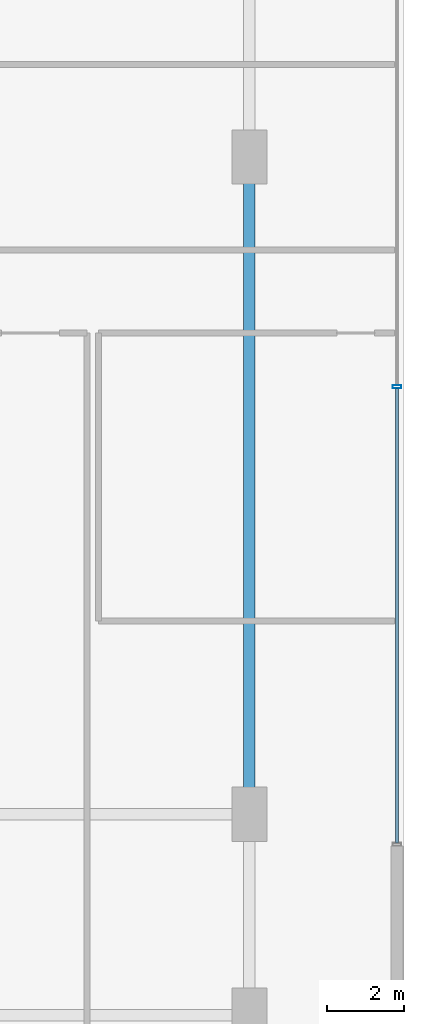
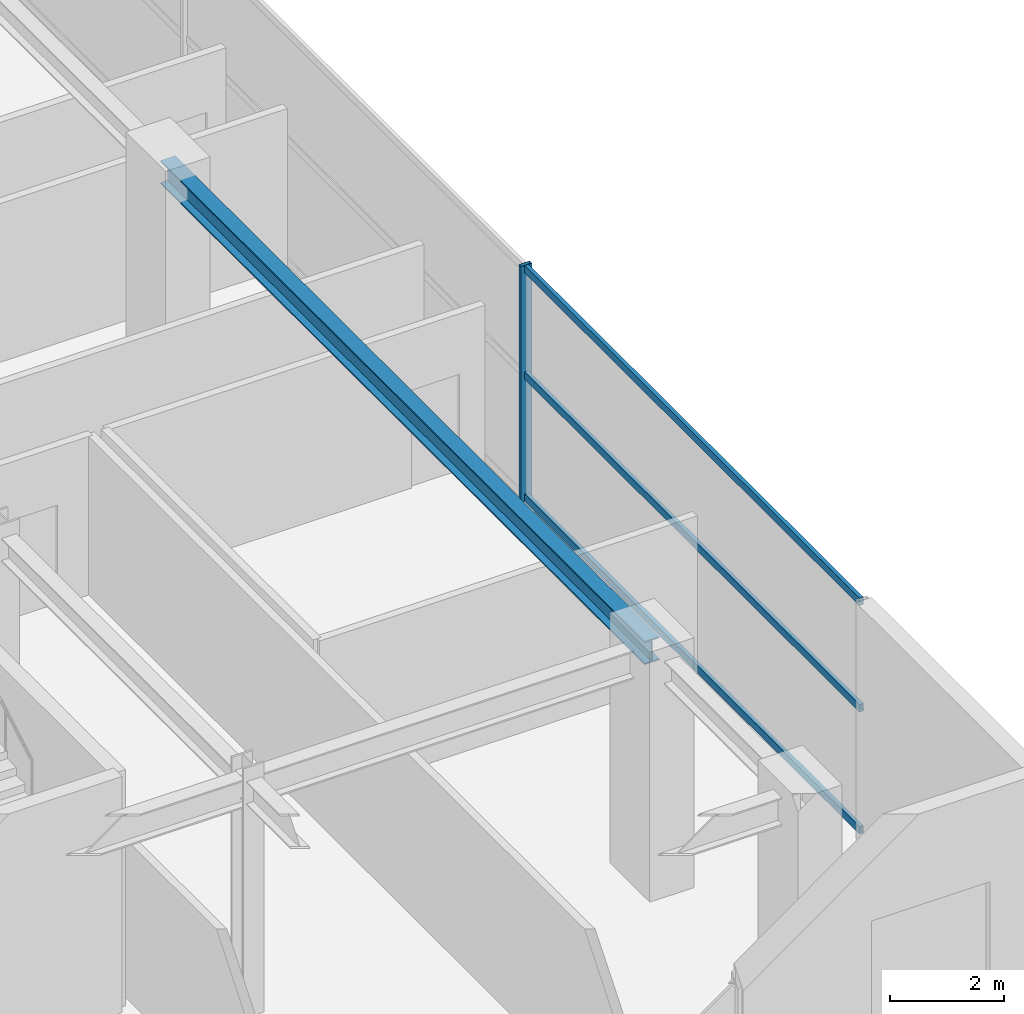
# One storey, part 22 of 32: 4 members, 1 beam, 1 element without a shape of its own.
"""IFC4 building model written with IfcOpenShell, lengths in metres."""

from ifc_helpers import new_model, si_unit, direction, frame, origin, origin_2d, place, context, subcontext, project, spatial, hollow_rectangle, i_section, extrude, source, transform, mapped, material, material_profile, profile_set, type_object, element, aggregate, save


model = new_model("IFC4")

# Units and contexts
model_context = context("Model", 3, precision=1e-05, world=origin(), true_north=direction((0.0, 1.0)))
body_context = subcontext(model_context, "Body", "Model", "MODEL_VIEW")
ifc_project = project(units=[si_unit("LENGTHUNIT", "METRE"), si_unit("AREAUNIT", "SQUARE_METRE"), si_unit("VOLUMEUNIT", "CUBIC_METRE"), si_unit("PLANEANGLEUNIT", "RADIAN"), si_unit("MASSUNIT", "GRAM", prefix="KILO")], contexts=[model_context])

# Site, building, storey
site_placement = place(None, origin())
site = spatial("IfcSite", under=ifc_project, at=site_placement, CompositionType="ELEMENT")
building_placement = place(site_placement, origin())
building = spatial("IfcBuilding", under=site, at=building_placement, Name="Nahalor Promenade Grand Hotel", CompositionType="ELEMENT")
storey_placement = place(building_placement, frame((0.0, 0.0, 10.800048828125)))
storey = spatial("IfcBuildingStorey", under=building, at=storey_placement, Name="L02", CompositionType="ELEMENT", Elevation=10.800048828125)

# Beam
ifc_material_1 = material(Name="Steel S355JR", Category="steel")
ifc_material_profile_1 = material_profile(ifc_material_1, i_section(OverallWidth=0.3, OverallDepth=0.5, WebThickness=0.0145, FlangeThickness=0.028, at=origin_2d()), Name="HEB 500")
ifc_profile_set_1 = profile_set([ifc_material_profile_1], Name="Steel S355JR")
beam_type = type_object("IfcBeamType", Name="Beam-Spandrel-HEB500", PredefinedType="SPANDREL", material=ifc_profile_set_1)
shared_shape_1 = source(origin(), body_context, "Body", "SweptSolid", [
    extrude(i_section(OverallWidth=0.3, OverallDepth=0.5, WebThickness=0.0145, FlangeThickness=0.028, at=origin_2d()), origin(), (0.0, 0.0, 1.0), 17.0),
])
beam_placement = place(storey_placement, frame((33.0, -17.0, 4.81005859375), z_axis=(0.0, 1.0, 0.0), x_axis=(-1.0, 0.0, 0.0)))
element("IfcBeam", 1, at=beam_placement, inside=storey, type_object=beam_type, Name="BM-L02-PE-1", PredefinedType="SPANDREL", context=body_context, shape_type="MappedRepresentation", body=[
    mapped(shared_shape_1, transform((0.0, 0.0, 0.0), scale=1.0)),
])

# Curtain wall, members
ifc_material_2 = material(Name="Anodised Bronze Aluminium EN AW-6063 T6", Category="aluminium")
curtain_wall_type = type_object("IfcCurtainWallType", Name="CW1 Waterfront Podium Bronze Arcade Curtain Wall", PredefinedType="USERDEFINED", material=ifc_material_2)
curtain_wall_placement = place(storey_placement, origin())
curtain_wall = element("IfcCurtainWall", 2, at=curtain_wall_placement, inside=storey, type_object=curtain_wall_type, Name="L02 Curtain Wall CW-L02-E", ObjectType="UNITISED_CURTAIN_WALL", PredefinedType="USERDEFINED")
ifc_material_profile_2 = material_profile(ifc_material_2, hollow_rectangle(XDim=0.08, YDim=0.16, WallThickness=0.004, at=origin_2d()), Name="CWT 80x160x4")
ifc_profile_set_2 = profile_set([ifc_material_profile_2], Name="Anodised Bronze Aluminium EN AW-6063 T6")
member_type_1 = type_object("IfcMemberType", Name="CWT1 Podium Bronze Transom 80x160", PredefinedType="USERDEFINED", material=ifc_profile_set_2)
shared_shape_2 = source(origin(), body_context, "Body", "SweptSolid", [
    extrude(hollow_rectangle(XDim=0.08, YDim=0.16, WallThickness=0.004, at=origin_2d()), origin(), (0.0, 0.0, 1.0), 11.760009765625),
])
member_1_placement = place(storey_placement, frame((36.820068359375, -17.739990234375, 0.079833984375), z_axis=(0.0, 1.0, 0.0), x_axis=(-1.0, 0.0, 0.0)))
member_1 = element("IfcMember", 3, at=member_1_placement, type_object=member_type_1, Name="CW-L02-E Transom 0-0", ObjectType="TRANSOM", PredefinedType="USERDEFINED", context=body_context, shape_type="MappedRepresentation", body=[
    mapped(shared_shape_2, transform((0.0, 0.0, 0.0), scale=1.0)),
])
member_2_placement = place(storey_placement, frame((36.820068359375, -17.739990234375, 2.699951171875), z_axis=(0.0, 1.0, 0.0), x_axis=(-1.0, 0.0, 0.0)))
member_2 = element("IfcMember", 4, at=member_2_placement, type_object=member_type_1, Name="CW-L02-E Transom 0-1", ObjectType="TRANSOM", PredefinedType="USERDEFINED", context=body_context, shape_type="MappedRepresentation", body=[
    mapped(shared_shape_2, transform((0.0, 0.0, 0.0), scale=1.0)),
])
member_3_placement = place(storey_placement, frame((36.820068359375, -17.739990234375, 4.97998046875), z_axis=(0.0, 1.0, 0.0), x_axis=(-1.0, 0.0, 0.0)))
member_3 = element("IfcMember", 5, at=member_3_placement, type_object=member_type_1, Name="CW-L02-E Transom 0-2", ObjectType="TRANSOM", PredefinedType="USERDEFINED", context=body_context, shape_type="MappedRepresentation", body=[
    mapped(shared_shape_2, transform((0.0, 0.0, 0.0), scale=1.0)),
])
ifc_material_profile_3 = material_profile(ifc_material_2, hollow_rectangle(XDim=0.08, YDim=0.22, WallThickness=0.005, at=origin_2d()), Name="CWM 80x220x5")
ifc_profile_set_3 = profile_set([ifc_material_profile_3], Name="Anodised Bronze Aluminium EN AW-6063 T6")
member_type_2 = type_object("IfcMemberType", Name="CWM1 Podium Bronze Mullion 80x220", PredefinedType="MULLION", material=ifc_profile_set_3)
shared_shape_3 = source(origin(), body_context, "Body", "SweptSolid", [
    extrude(hollow_rectangle(XDim=0.08, YDim=0.22, WallThickness=0.005, at=origin_2d()), origin(), (0.0, 0.0, 1.0), 5.06005859375),
])
member_4_placement = place(storey_placement, frame((36.820068359375, -5.93994140625, 0.0), z_axis=(0.0, 0.0, 1.0), x_axis=(0.0, 1.0, 0.0)))
member_4 = element("IfcMember", 6, at=member_4_placement, type_object=member_type_2, Name="CW-L02-E Mullion 1", PredefinedType="MULLION", context=body_context, shape_type="MappedRepresentation", body=[
    mapped(shared_shape_3, transform((0.0, 0.0, 0.0), scale=1.0)),
])
aggregate(curtain_wall, [member_4, member_1, member_2, member_3])

save(model, "model.ifc")
